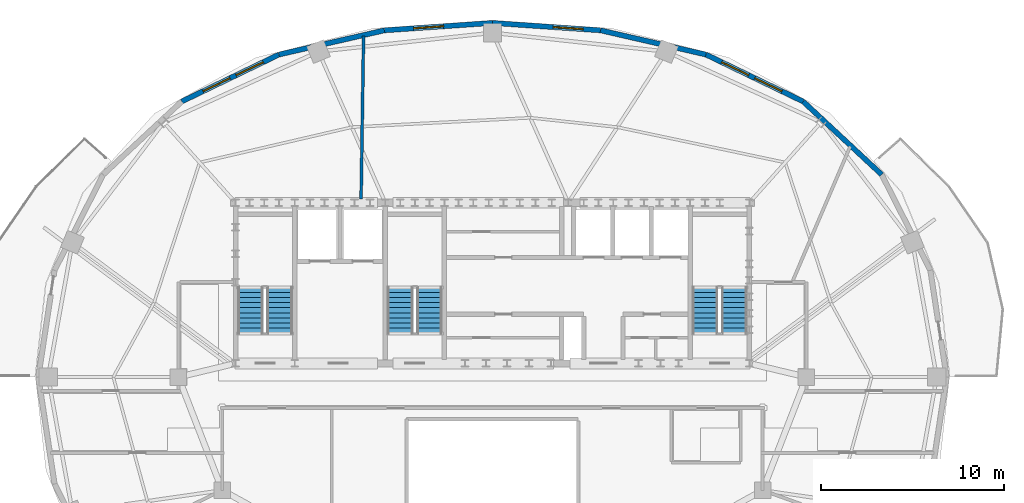
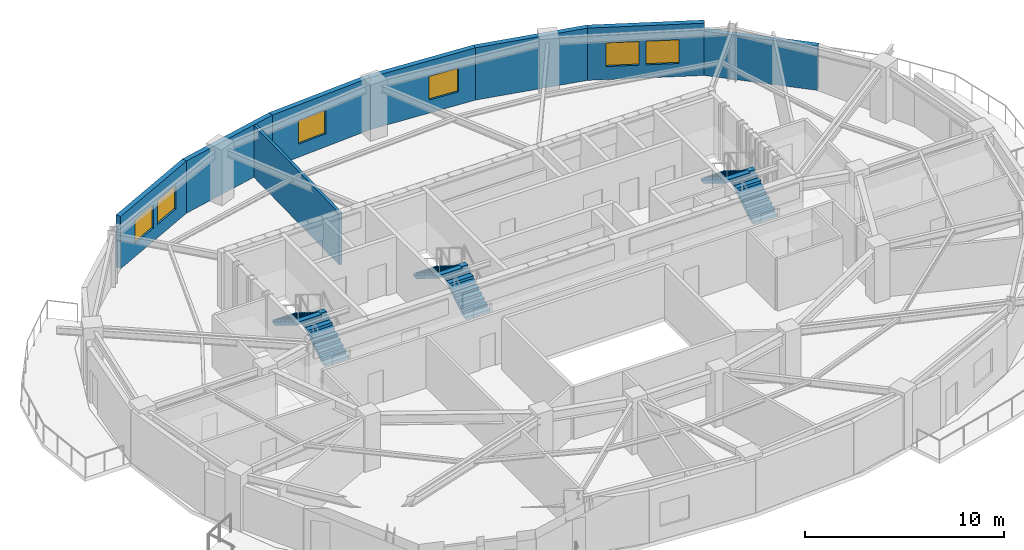
# One storey, part 6 of 10: 8 walls, 6 stair flights, 6 windows, 6 openings, 3 elements without a shape of their own.
"""IFC4 building model written with IfcOpenShell, lengths in metres."""

from ifc_helpers import new_model, si_unit, direction, frame, frame_2d, origin, place, context, subcontext, project, spatial, polyline, rectangle, outline, extrude, material, layer, layer_set, type_object, element, fill, aggregate, save


model = new_model("IFC4")

# Units and contexts
model_context = context("Model", 3, precision=1e-05, world=origin(), true_north=direction((0.0, 1.0)))
body_context = subcontext(model_context, "Body", "Model", "MODEL_VIEW")
ifc_project = project(units=[si_unit("LENGTHUNIT", "METRE"), si_unit("AREAUNIT", "SQUARE_METRE"), si_unit("VOLUMEUNIT", "CUBIC_METRE"), si_unit("PLANEANGLEUNIT", "RADIAN"), si_unit("MASSUNIT", "GRAM", prefix="KILO")], contexts=[model_context])

# Site, building, storey
site_placement = place(None, origin())
site = spatial("IfcSite", under=ifc_project, at=site_placement, CompositionType="ELEMENT")
building_placement = place(site_placement, origin())
building = spatial("IfcBuilding", under=site, at=building_placement, Name="Haldorwick Loom Tower", CompositionType="ELEMENT")
storey_placement = place(building_placement, frame((0.0, 0.0, 259.199951171875)))
storey = spatial("IfcBuildingStorey", under=building, at=storey_placement, Name="L70", CompositionType="ELEMENT", Elevation=259.199951171875)

# Wall
ifc_material_1 = material(Name="Pressed Clay Face Brick and Insulated Masonry Backup Assembly", Category="masonry")
ifc_layer_1 = layer(ifc_material_1, 0.280029296875, Name="Pressed Clay Face Brick and Insulated Masonry Backup Assembly", Category="masonry")
ifc_layer_set_1 = layer_set([ifc_layer_1], Name="Pressed Clay Face Brick and Insulated Masonry Backup Assembly")
wall_type_1 = type_object("IfcWallType", Name="ARC-WL-EXT280", PredefinedType="STANDARD", material=ifc_layer_set_1)
wall_1_placement = place(storey_placement, frame((57.322509765625, 37.08984375, 0.0), z_axis=(0.0, 0.0, 1.0), x_axis=(-0.731924682982, 0.68138554317, 0.0)))
element("IfcWall", 1, at=wall_1_placement, inside=storey, type_object=wall_type_1, Name="L70 Brick Pier and Spandrel Wall 3", PredefinedType="STANDARD", context=body_context, shape_type="SweptSolid", body=[
    extrude(rectangle(XDim=5.87890625, YDim=0.280029296875, at=frame_2d((2.939453125, 0.0))), origin(), (0.0, 0.0, 1.0), 2.718994140625),
])

# Wall, openings, windows
wall_2_placement = place(storey_placement, frame((53.01953125, 41.095703125, 0.0), z_axis=(0.0, 0.0, 1.0), x_axis=(-0.900481907967, 0.434893473651, 0.0)))
wall_2 = element("IfcWall", 2, at=wall_2_placement, inside=storey, type_object=wall_type_1, Name="L70 Brick Pier and Spandrel Wall 4", PredefinedType="STANDARD", context=body_context, shape_type="SweptSolid", body=[
    extrude(rectangle(XDim=5.90966796875, YDim=0.280029296875, at=frame_2d((2.954833984375, 0.0))), origin(), (0.0, 0.0, 1.0), 3.2099609375),
])
opening_1_placement = place(wall_2_placement, frame((1.29443359375, 0.0, 0.800048828125)))
opening_1 = element("IfcOpeningElement", 3, at=opening_1_placement, cuts=wall_2, Name="Opening W-01B", PredefinedType="OPENING", context=body_context, shape_type="SweptSolid", body=[
    extrude(rectangle(XDim=1.64990234375, YDim=1.449951171875, at=frame_2d((0.824951171875, 0.72509765625))), frame((0.0, 0.14990234375, 0.0), z_axis=(0.0, -1.0, 0.0), x_axis=(1.0, 0.0, 0.0)), (0.0, 0.0, 1.0), 0.300048828125),
])
opening_2_placement = place(wall_2_placement, frame((3.311767578125, 0.0, 0.800048828125)))
opening_2 = element("IfcOpeningElement", 4, at=opening_2_placement, cuts=wall_2, Name="Opening W-01B", PredefinedType="OPENING", context=body_context, shape_type="SweptSolid", body=[
    extrude(rectangle(XDim=1.64990234375, YDim=1.449951171875, at=frame_2d((0.824951171875, 0.72509765625))), frame((0.0, 0.14990234375, 0.0), z_axis=(0.0, -1.0, 0.0), x_axis=(1.0, 0.0, 0.0)), (0.0, 0.0, 1.0), 0.300048828125),
])
ifc_material_2 = material(Name="Triple-Glazed Low-E Argon Insulated Glazing Unit", Category="glass")
window_type = type_object("IfcWindowType", Name="ARC-WIN-W165", PartitioningType="SINGLE_PANEL", PredefinedType="WINDOW", material=ifc_material_2)
window_1_placement = place(opening_1_placement, origin())
window_1 = element("IfcWindow", 5, at=window_1_placement, inside=storey, type_object=window_type, Name="L70 Deep-Set Zone 7A Window 4", OverallHeight=1.449951171875, OverallWidth=1.64990234375, PartitioningType="SINGLE_PANEL", PredefinedType="WINDOW", context=body_context, shape_type="SweptSolid", body=[
    extrude(rectangle(XDim=1.64990234375, YDim=1.449951171875, at=frame_2d((0.824951171875, 0.72509765625))), frame((0.0, 0.030029296875, 0.0), z_axis=(0.0, -1.0, 0.0), x_axis=(1.0, 0.0, 0.0)), (0.0, 0.0, 1.0), 0.06005859375),
])
fill(opening_1, window_1)
window_2_placement = place(opening_2_placement, origin())
window_2 = element("IfcWindow", 6, at=window_2_placement, inside=storey, type_object=window_type, Name="L70 Deep-Set Zone 7A Window 4", OverallHeight=1.449951171875, OverallWidth=1.64990234375, PartitioningType="SINGLE_PANEL", PredefinedType="WINDOW", context=body_context, shape_type="SweptSolid", body=[
    extrude(rectangle(XDim=1.64990234375, YDim=1.449951171875, at=frame_2d((0.824951171875, 0.72509765625))), frame((0.0, 0.030029296875, 0.0), z_axis=(0.0, -1.0, 0.0), x_axis=(1.0, 0.0, 0.0)), (0.0, 0.0, 1.0), 0.06005859375),
])
fill(opening_2, window_2)

# Wall
wall_3_placement = place(storey_placement, frame((47.697998046875, 43.665771484375, 0.0), z_axis=(0.0, 0.0, 1.0), x_axis=(-0.974589984037, 0.223996345987, 0.0)))
element("IfcWall", 7, at=wall_3_placement, inside=storey, type_object=wall_type_1, Name="L70 Brick Pier and Spandrel Wall 5", PredefinedType="STANDARD", context=body_context, shape_type="SweptSolid", body=[
    extrude(rectangle(XDim=5.92919921875, YDim=0.280029296875, at=frame_2d((2.964599609375, 0.0))), origin(), (0.0, 0.0, 1.0), 3.2099609375),
])

# Wall, opening, window
wall_4_placement = place(storey_placement, frame((41.91943359375, 44.993896484375, 0.0), z_axis=(0.0, 0.0, 1.0), x_axis=(-0.997656066566, 0.068427865986, 0.0)))
wall_4 = element("IfcWall", 8, at=wall_4_placement, inside=storey, type_object=wall_type_1, Name="L70 Brick Pier and Spandrel Wall 6", PredefinedType="STANDARD", context=body_context, shape_type="SweptSolid", body=[
    extrude(rectangle(XDim=5.933349609375, YDim=0.280029296875, at=frame_2d((2.966796875, 0.0))), origin(), (0.0, 0.0, 1.0), 3.2099609375),
])
opening_3_placement = place(wall_4_placement, frame((0.955078125, 0.0, 0.800048828125)))
opening_3 = element("IfcOpeningElement", 9, at=opening_3_placement, cuts=wall_4, Name="Opening W-01B", PredefinedType="OPENING", context=body_context, shape_type="SweptSolid", body=[
    extrude(rectangle(XDim=1.64990234375, YDim=1.449951171875, at=frame_2d((0.824951171875, 0.72509765625))), frame((0.0, 0.14990234375, 0.0), z_axis=(0.0, -1.0, 0.0), x_axis=(1.0, 0.0, 0.0)), (0.0, 0.0, 1.0), 0.300048828125),
])
window_3_placement = place(opening_3_placement, origin())
window_3 = element("IfcWindow", 10, at=window_3_placement, inside=storey, type_object=window_type, Name="L70 Deep-Set Zone 7A Window 6", OverallHeight=1.449951171875, OverallWidth=1.64990234375, PartitioningType="SINGLE_PANEL", PredefinedType="WINDOW", context=body_context, shape_type="SweptSolid", body=[
    extrude(rectangle(XDim=1.64990234375, YDim=1.449951171875, at=frame_2d((0.824951171875, 0.72509765625))), frame((0.0, 0.030029296875, 0.0), z_axis=(0.0, -1.0, 0.0), x_axis=(1.0, 0.0, 0.0)), (0.0, 0.0, 1.0), 0.06005859375),
])
fill(opening_3, window_3)

wall_5_placement = place(storey_placement, frame((36.0, 45.39990234375, 0.0), z_axis=(0.0, 0.0, 1.0), x_axis=(-0.997656066566, -0.068427865986, 0.0)))
wall_5 = element("IfcWall", 11, at=wall_5_placement, inside=storey, type_object=wall_type_1, Name="L70 Brick Pier and Spandrel Wall 7", PredefinedType="STANDARD", context=body_context, shape_type="SweptSolid", body=[
    extrude(rectangle(XDim=5.933349609375, YDim=0.280029296875, at=frame_2d((2.966796875, 0.0))), origin(), (0.0, 0.0, 1.0), 3.2099609375),
])
opening_4_placement = place(wall_5_placement, frame((2.68212890625, 0.0, 0.800048828125)))
opening_4 = element("IfcOpeningElement", 12, at=opening_4_placement, cuts=wall_5, Name="Opening W-01B", PredefinedType="OPENING", context=body_context, shape_type="SweptSolid", body=[
    extrude(rectangle(XDim=1.64990234375, YDim=1.449951171875, at=frame_2d((0.824951171875, 0.72509765625))), frame((0.0, 0.14990234375, 0.0), z_axis=(0.0, -1.0, 0.0), x_axis=(1.0, 0.0, 0.0)), (0.0, 0.0, 1.0), 0.300048828125),
])
window_4_placement = place(opening_4_placement, origin())
window_4 = element("IfcWindow", 13, at=window_4_placement, inside=storey, type_object=window_type, Name="L70 Deep-Set Zone 7A Window 7", OverallHeight=1.449951171875, OverallWidth=1.64990234375, PartitioningType="SINGLE_PANEL", PredefinedType="WINDOW", context=body_context, shape_type="SweptSolid", body=[
    extrude(rectangle(XDim=1.64990234375, YDim=1.449951171875, at=frame_2d((0.824951171875, 0.72509765625))), frame((0.0, 0.030029296875, 0.0), z_axis=(0.0, -1.0, 0.0), x_axis=(1.0, 0.0, 0.0)), (0.0, 0.0, 1.0), 0.06005859375),
])
fill(opening_4, window_4)

# Wall
wall_6_placement = place(storey_placement, frame((30.08056640625, 44.993896484375, 0.0), z_axis=(0.0, 0.0, 1.0), x_axis=(-0.974589984037, -0.223996345987, 0.0)))
element("IfcWall", 14, at=wall_6_placement, inside=storey, type_object=wall_type_1, Name="L70 Brick Pier and Spandrel Wall 8", PredefinedType="STANDARD", context=body_context, shape_type="SweptSolid", body=[
    extrude(rectangle(XDim=5.92919921875, YDim=0.280029296875, at=frame_2d((2.964599609375, 0.0))), origin(), (0.0, 0.0, 1.0), 3.2099609375),
])

# Wall, openings, windows
wall_7_placement = place(storey_placement, frame((24.302001953125, 43.665771484375, 0.0), z_axis=(0.0, 0.0, 1.0), x_axis=(-0.900481907967, -0.434893473651, 0.0)))
wall_7 = element("IfcWall", 15, at=wall_7_placement, inside=storey, type_object=wall_type_1, Name="L70 Brick Pier and Spandrel Wall 9", PredefinedType="STANDARD", context=body_context, shape_type="SweptSolid", body=[
    extrude(rectangle(XDim=5.90966796875, YDim=0.280029296875, at=frame_2d((2.954833984375, 0.0))), origin(), (0.0, 0.0, 1.0), 3.2099609375),
])
opening_5_placement = place(wall_7_placement, frame((0.947998046875, 0.0, 0.800048828125)))
opening_5 = element("IfcOpeningElement", 16, at=opening_5_placement, cuts=wall_7, Name="Opening W-01B", PredefinedType="OPENING", context=body_context, shape_type="SweptSolid", body=[
    extrude(rectangle(XDim=1.64990234375, YDim=1.449951171875, at=frame_2d((0.824951171875, 0.72509765625))), frame((0.0, 0.14990234375, 0.0), z_axis=(0.0, -1.0, 0.0), x_axis=(1.0, 0.0, 0.0)), (0.0, 0.0, 1.0), 0.300048828125),
])
opening_6_placement = place(wall_7_placement, frame((2.965087890625, 0.0, 0.800048828125)))
opening_6 = element("IfcOpeningElement", 17, at=opening_6_placement, cuts=wall_7, Name="Opening W-01B", PredefinedType="OPENING", context=body_context, shape_type="SweptSolid", body=[
    extrude(rectangle(XDim=1.64990234375, YDim=1.449951171875, at=frame_2d((0.824951171875, 0.72509765625))), frame((0.0, 0.14990234375, 0.0), z_axis=(0.0, -1.0, 0.0), x_axis=(1.0, 0.0, 0.0)), (0.0, 0.0, 1.0), 0.300048828125),
])
window_5_placement = place(opening_5_placement, origin())
window_5 = element("IfcWindow", 18, at=window_5_placement, inside=storey, type_object=window_type, Name="L70 Deep-Set Zone 7A Window 9", OverallHeight=1.449951171875, OverallWidth=1.64990234375, PartitioningType="SINGLE_PANEL", PredefinedType="WINDOW", context=body_context, shape_type="SweptSolid", body=[
    extrude(rectangle(XDim=1.64990234375, YDim=1.449951171875, at=frame_2d((0.824951171875, 0.72509765625))), frame((0.0, 0.030029296875, 0.0), z_axis=(0.0, -1.0, 0.0), x_axis=(1.0, 0.0, 0.0)), (0.0, 0.0, 1.0), 0.06005859375),
])
fill(opening_5, window_5)
window_6_placement = place(opening_6_placement, origin())
window_6 = element("IfcWindow", 19, at=window_6_placement, inside=storey, type_object=window_type, Name="L70 Deep-Set Zone 7A Window 9", OverallHeight=1.449951171875, OverallWidth=1.64990234375, PartitioningType="SINGLE_PANEL", PredefinedType="WINDOW", context=body_context, shape_type="SweptSolid", body=[
    extrude(rectangle(XDim=1.64990234375, YDim=1.449951171875, at=frame_2d((0.824951171875, 0.72509765625))), frame((0.0, 0.030029296875, 0.0), z_axis=(0.0, -1.0, 0.0), x_axis=(1.0, 0.0, 0.0)), (0.0, 0.0, 1.0), 0.06005859375),
])
fill(opening_6, window_6)

# Wall
ifc_material_3 = material(Name="Fire-Rated Type X Gypsum Stud Assembly EI 60")
ifc_layer_2 = layer(ifc_material_3, 0.159912109375, Name="Fire-Rated Type X Gypsum Stud Assembly EI 60")
ifc_layer_set_2 = layer_set([ifc_layer_2], Name="Fire-Rated Type X Gypsum Stud Assembly EI 60")
wall_type_2 = type_object("IfcWallType", Name="ARC-WL-FIRE160", PredefinedType="PARTITIONING", material=ifc_layer_set_2)
wall_8_placement = place(storey_placement, frame((28.8046875, 35.7529296875, 0.0), z_axis=(0.0, 0.0, 1.0), x_axis=(0.015248711969, 0.999883731632, 0.0)))
element("IfcWall", 20, at=wall_8_placement, inside=storey, type_object=wall_type_2, Name="L70 Residential Fire Partition L70-UPN-C3", PredefinedType="PARTITIONING", context=body_context, shape_type="SweptSolid", body=[
    extrude(rectangle(XDim=8.933837890625, YDim=0.159912109375, at=frame_2d((4.466796875, 0.0))), origin(), (0.0, 0.0, 1.0), 3.195068359375),
])

# Stair, stair flights
ifc_material_4 = material(Name="Concrete C40 (40 MPa)", Category="concrete")
stair_type = type_object("IfcStairType", Name="STR-STR-CORE", PredefinedType="HALF_TURN_STAIR", material=ifc_material_4)
stair_1_placement = place(storey_placement, origin())
stair_1 = element("IfcStair", 21, at=stair_1_placement, inside=storey, type_object=stair_type, Name="L70 Exit Stair ST-01", PredefinedType="HALF_TURN_STAIR")
stair_flight_type = type_object("IfcStairFlightType", Name="STR-STF-1250", PredefinedType="STRAIGHT", material=ifc_material_4)
stair_flight_1_placement = place(storey_placement, frame((24.35009765625, 28.39990234375, 0.0), z_axis=(0.0, 0.0, 1.0), x_axis=(0.0, 1.0, 0.0)))
stair_flight_1 = element("IfcStairFlight", 22, at=stair_flight_1_placement, type_object=stair_flight_type, Name="ST-01 flight 1", NumberOfRisers=10, NumberOfTreads=9, PredefinedType="STRAIGHT", RiserHeight=0.1725, TreadLength=0.28, context=body_context, shape_type="SweptSolid", body=[
    extrude(outline(polyline([(0.0, 0.0), (0.0, 0.172607421875), (0.280029296875, 0.172607421875), (0.280029296875, 0.344970703125), (0.56005859375, 0.344970703125), (0.56005859375, 0.517578125), (0.840087890625, 0.517578125), (0.840087890625, 0.68994140625), (1.1201171875, 0.68994140625), (1.1201171875, 0.862548828125), (1.39990234375, 0.862548828125), (1.39990234375, 1.034912109375), (1.679931640625, 1.034912109375), (1.679931640625, 1.20751953125), (1.9599609375, 1.20751953125), (1.9599609375, 1.3798828125), (2.239990234375, 1.3798828125), (2.239990234375, 1.552490234375), (2.52001953125, 1.552490234375), (2.52001953125, 1.72509765625), (2.52001953125, 1.37646484375), (0.285888671875, 0.0), (0.0, 0.0)])), frame((0.0, 0.699951171875, 0.0), z_axis=(0.0, -1.0, 0.0), x_axis=(1.0, 0.0, 0.0)), (0.0, 0.0, 1.0), 1.39990234375),
])
stair_flight_2_placement = place(storey_placement, frame((22.75, 30.919921875, 1.72509765625), z_axis=(0.0, 0.0, 1.0), x_axis=(0.0, -1.0, 0.0)))
stair_flight_2 = element("IfcStairFlight", 23, at=stair_flight_2_placement, type_object=stair_flight_type, Name="ST-01 flight 2", NumberOfRisers=10, NumberOfTreads=9, PredefinedType="STRAIGHT", RiserHeight=0.1725, TreadLength=0.28, context=body_context, shape_type="SweptSolid", body=[
    extrude(outline(polyline([(0.0, 0.0), (0.0, 0.172607421875), (0.280029296875, 0.172607421875), (0.280029296875, 0.344970703125), (0.56005859375, 0.344970703125), (0.56005859375, 0.517578125), (0.840087890625, 0.517578125), (0.840087890625, 0.68994140625), (1.1201171875, 0.68994140625), (1.1201171875, 0.862548828125), (1.39990234375, 0.862548828125), (1.39990234375, 1.034912109375), (1.679931640625, 1.034912109375), (1.679931640625, 1.20751953125), (1.9599609375, 1.20751953125), (1.9599609375, 1.3798828125), (2.239990234375, 1.3798828125), (2.239990234375, 1.552490234375), (2.52001953125, 1.552490234375), (2.52001953125, 1.72509765625), (2.52001953125, 1.37646484375), (0.285888671875, 0.0), (0.0, 0.0)])), frame((0.0, 0.699951171875, 0.0), z_axis=(0.0, -1.0, 0.0), x_axis=(1.0, 0.0, 0.0)), (0.0, 0.0, 1.0), 1.39990234375),
])
aggregate(stair_1, [stair_flight_1, stair_flight_2])

stair_2_placement = place(storey_placement, origin())
stair_2 = element("IfcStair", 24, at=stair_2_placement, inside=storey, type_object=stair_type, Name="L70 Exit Stair ST-02", PredefinedType="HALF_TURN_STAIR")
stair_flight_3_placement = place(storey_placement, frame((49.25, 28.39990234375, 0.0), z_axis=(0.0, 0.0, 1.0), x_axis=(0.0, 1.0, 0.0)))
stair_flight_3 = element("IfcStairFlight", 25, at=stair_flight_3_placement, type_object=stair_flight_type, Name="ST-02 flight 1", NumberOfRisers=10, NumberOfTreads=9, PredefinedType="STRAIGHT", RiserHeight=0.1725, TreadLength=0.28, context=body_context, shape_type="SweptSolid", body=[
    extrude(outline(polyline([(0.0, 0.0), (0.0, 0.172607421875), (0.280029296875, 0.172607421875), (0.280029296875, 0.344970703125), (0.56005859375, 0.344970703125), (0.56005859375, 0.517578125), (0.840087890625, 0.517578125), (0.840087890625, 0.68994140625), (1.1201171875, 0.68994140625), (1.1201171875, 0.862548828125), (1.39990234375, 0.862548828125), (1.39990234375, 1.034912109375), (1.679931640625, 1.034912109375), (1.679931640625, 1.20751953125), (1.9599609375, 1.20751953125), (1.9599609375, 1.3798828125), (2.239990234375, 1.3798828125), (2.239990234375, 1.552490234375), (2.52001953125, 1.552490234375), (2.52001953125, 1.72509765625), (2.52001953125, 1.37646484375), (0.285888671875, 0.0), (0.0, 0.0)])), frame((0.0, 0.699951171875, 0.0), z_axis=(0.0, -1.0, 0.0), x_axis=(1.0, 0.0, 0.0)), (0.0, 0.0, 1.0), 1.39990234375),
])
stair_flight_4_placement = place(storey_placement, frame((47.64990234375, 30.919921875, 1.72509765625), z_axis=(0.0, 0.0, 1.0), x_axis=(0.0, -1.0, 0.0)))
stair_flight_4 = element("IfcStairFlight", 26, at=stair_flight_4_placement, type_object=stair_flight_type, Name="ST-02 flight 2", NumberOfRisers=10, NumberOfTreads=9, PredefinedType="STRAIGHT", RiserHeight=0.1725, TreadLength=0.28, context=body_context, shape_type="SweptSolid", body=[
    extrude(outline(polyline([(0.0, 0.0), (0.0, 0.172607421875), (0.280029296875, 0.172607421875), (0.280029296875, 0.344970703125), (0.56005859375, 0.344970703125), (0.56005859375, 0.517578125), (0.840087890625, 0.517578125), (0.840087890625, 0.68994140625), (1.1201171875, 0.68994140625), (1.1201171875, 0.862548828125), (1.39990234375, 0.862548828125), (1.39990234375, 1.034912109375), (1.679931640625, 1.034912109375), (1.679931640625, 1.20751953125), (1.9599609375, 1.20751953125), (1.9599609375, 1.3798828125), (2.239990234375, 1.3798828125), (2.239990234375, 1.552490234375), (2.52001953125, 1.552490234375), (2.52001953125, 1.72509765625), (2.52001953125, 1.37646484375), (0.285888671875, 0.0), (0.0, 0.0)])), frame((0.0, 0.699951171875, 0.0), z_axis=(0.0, -1.0, 0.0), x_axis=(1.0, 0.0, 0.0)), (0.0, 0.0, 1.0), 1.39990234375),
])
aggregate(stair_2, [stair_flight_3, stair_flight_4])

stair_3_placement = place(storey_placement, origin())
stair_3 = element("IfcStair", 27, at=stair_3_placement, inside=storey, type_object=stair_type, Name="L70 Exit Stair ST-03", PredefinedType="HALF_TURN_STAIR")
stair_flight_5_placement = place(storey_placement, frame((32.550048828125, 28.39990234375, 0.0), z_axis=(0.0, 0.0, 1.0), x_axis=(0.0, 1.0, 0.0)))
stair_flight_5 = element("IfcStairFlight", 28, at=stair_flight_5_placement, type_object=stair_flight_type, Name="ST-03 flight 1", NumberOfRisers=10, NumberOfTreads=9, PredefinedType="STRAIGHT", RiserHeight=0.1725, TreadLength=0.28, context=body_context, shape_type="SweptSolid", body=[
    extrude(outline(polyline([(0.0, 0.0), (0.0, 0.172607421875), (0.280029296875, 0.172607421875), (0.280029296875, 0.344970703125), (0.56005859375, 0.344970703125), (0.56005859375, 0.517578125), (0.840087890625, 0.517578125), (0.840087890625, 0.68994140625), (1.1201171875, 0.68994140625), (1.1201171875, 0.862548828125), (1.39990234375, 0.862548828125), (1.39990234375, 1.034912109375), (1.679931640625, 1.034912109375), (1.679931640625, 1.20751953125), (1.9599609375, 1.20751953125), (1.9599609375, 1.3798828125), (2.239990234375, 1.3798828125), (2.239990234375, 1.552490234375), (2.52001953125, 1.552490234375), (2.52001953125, 1.72509765625), (2.52001953125, 1.37646484375), (0.285888671875, 0.0), (0.0, 0.0)])), frame((0.0, 0.699951171875, 0.0), z_axis=(0.0, -1.0, 0.0), x_axis=(1.0, 0.0, 0.0)), (0.0, 0.0, 1.0), 1.39990234375),
])
stair_flight_6_placement = place(storey_placement, frame((30.949951171875, 30.919921875, 1.72509765625), z_axis=(0.0, 0.0, 1.0), x_axis=(0.0, -1.0, 0.0)))
stair_flight_6 = element("IfcStairFlight", 29, at=stair_flight_6_placement, type_object=stair_flight_type, Name="ST-03 flight 2", NumberOfRisers=10, NumberOfTreads=9, PredefinedType="STRAIGHT", RiserHeight=0.1725, TreadLength=0.28, context=body_context, shape_type="SweptSolid", body=[
    extrude(outline(polyline([(0.0, 0.0), (0.0, 0.172607421875), (0.280029296875, 0.172607421875), (0.280029296875, 0.344970703125), (0.56005859375, 0.344970703125), (0.56005859375, 0.517578125), (0.840087890625, 0.517578125), (0.840087890625, 0.68994140625), (1.1201171875, 0.68994140625), (1.1201171875, 0.862548828125), (1.39990234375, 0.862548828125), (1.39990234375, 1.034912109375), (1.679931640625, 1.034912109375), (1.679931640625, 1.20751953125), (1.9599609375, 1.20751953125), (1.9599609375, 1.3798828125), (2.239990234375, 1.3798828125), (2.239990234375, 1.552490234375), (2.52001953125, 1.552490234375), (2.52001953125, 1.72509765625), (2.52001953125, 1.37646484375), (0.285888671875, 0.0), (0.0, 0.0)])), frame((0.0, 0.699951171875, 0.0), z_axis=(0.0, -1.0, 0.0), x_axis=(1.0, 0.0, 0.0)), (0.0, 0.0, 1.0), 1.39990234375),
])
aggregate(stair_3, [stair_flight_5, stair_flight_6])

save(model, "model.ifc")
